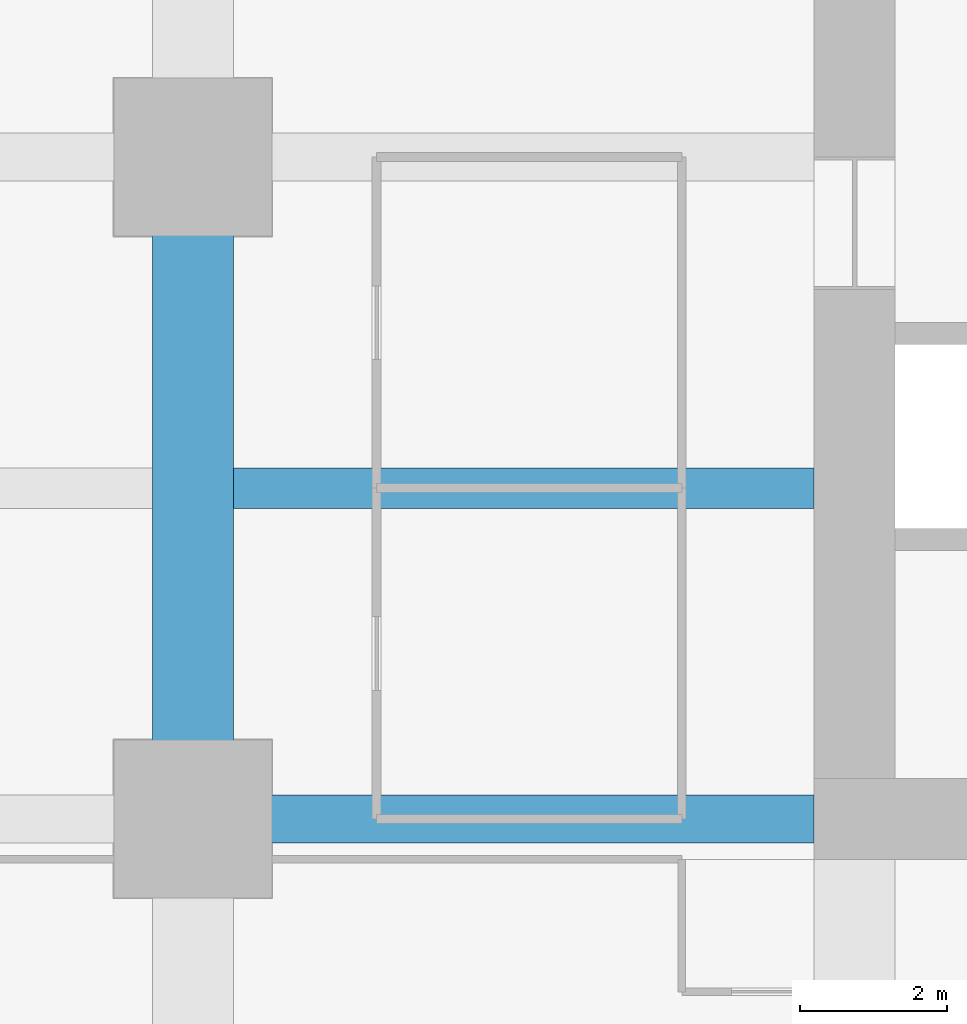
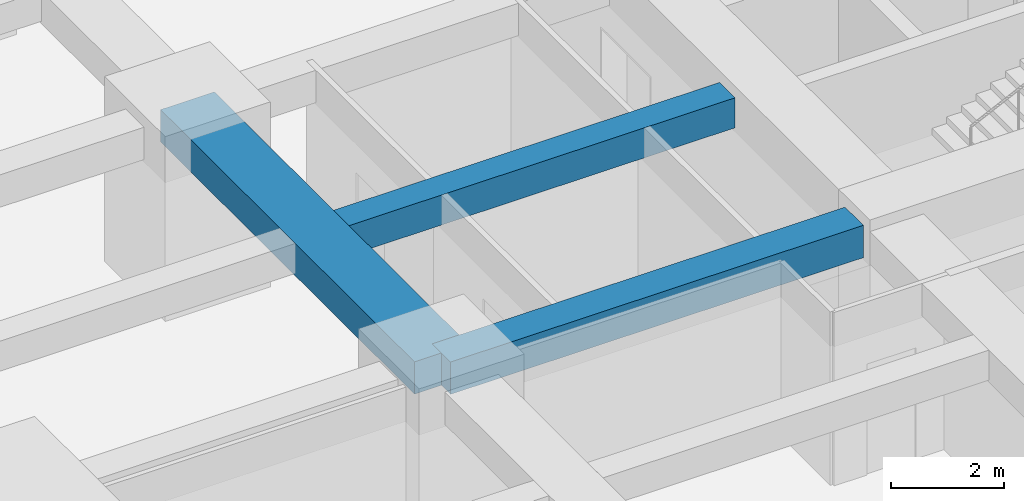
# One storey, part 10 of 41: 3 beams.
"""IFC4 building model written with IfcOpenShell, lengths in metres."""

from ifc_helpers import new_model, si_unit, direction, frame, origin, origin_2d, place, context, subcontext, project, spatial, rectangle, extrude, material, material_profile, profile_set, type_object, element, save


model = new_model("IFC4")

# Units and contexts
model_context = context("Model", 3, precision=1e-05, world=origin(), true_north=direction((0.0, 1.0)))
body_context = subcontext(model_context, "Body", "Model", "MODEL_VIEW")
ifc_project = project(units=[si_unit("LENGTHUNIT", "METRE"), si_unit("AREAUNIT", "SQUARE_METRE"), si_unit("VOLUMEUNIT", "CUBIC_METRE"), si_unit("PLANEANGLEUNIT", "RADIAN"), si_unit("MASSUNIT", "GRAM", prefix="KILO")], contexts=[model_context])

# Site, building, storey
site_placement = place(None, origin())
site = spatial("IfcSite", under=ifc_project, at=site_placement, CompositionType="ELEMENT")
building_placement = place(site_placement, origin())
building = spatial("IfcBuilding", under=site, at=building_placement, Name="Zorevar Civic Tower", CompositionType="ELEMENT")
storey_placement = place(building_placement, frame((0.0, 0.0, 89.0)))
storey = spatial("IfcBuildingStorey", under=building, at=storey_placement, Name="L21", CompositionType="ELEMENT", Elevation=89.0)

# Beams
ifc_material_1 = material(Name="Concrete C50/60", Category="concrete")
ifc_material_profile_1 = material_profile(ifc_material_1, rectangle(XDim=1.10009765625, YDim=0.699951171875, at=origin_2d()), Name="RC 1100x700")
ifc_profile_set_1 = profile_set([ifc_material_profile_1], Name="Concrete C50/60")
beam_type_1 = type_object("IfcBeamType", Name="Beam RC 1100x700", PredefinedType="BEAM", material=ifc_profile_set_1)
beam_1_placement = place(storey_placement, frame((9.0, 18.0, 3.39990234375), z_axis=(0.0, 1.0, 0.0), x_axis=(-1.0, 0.0, 0.0)))
element("IfcBeam", 1, at=beam_1_placement, inside=storey, type_object=beam_type_1, Name="Girder L22", PredefinedType="BEAM", context=body_context, shape_type="SweptSolid", body=[
    extrude(rectangle(XDim=1.10009765625, YDim=0.699951171875, at=origin_2d()), origin(), (0.0, 0.0, 1.0), 9.0),
])
ifc_material_2 = material(Name="Concrete C50/60", Category="concrete")
ifc_material_profile_2 = material_profile(ifc_material_2, rectangle(XDim=0.550048828125, YDim=0.64990234375, at=origin_2d()), Name="RC 550x650")
ifc_profile_set_2 = profile_set([ifc_material_profile_2], Name="Concrete C50/60")
beam_type_2 = type_object("IfcBeamType", Name="Beam RC 550x650", PredefinedType="BEAM", material=ifc_profile_set_2)
beam_2_placement = place(storey_placement, frame((9.550048828125, 22.5, 3.425048828125), z_axis=(1.0, 0.0, 0.0), x_axis=(0.0, 1.0, 0.0)))
element("IfcBeam", 2, at=beam_2_placement, inside=storey, type_object=beam_type_2, Name="Secondary beam L22", PredefinedType="BEAM", context=body_context, shape_type="SweptSolid", body=[
    extrude(rectangle(XDim=0.550048828125, YDim=0.64990234375, at=origin_2d()), origin(), (0.0, 0.0, 1.0), 7.89990234375),
])
ifc_material_3 = material(Name="Concrete C50/60", Category="concrete")
ifc_material_profile_3 = material_profile(ifc_material_3, rectangle(XDim=0.64990234375, YDim=0.699951171875, at=origin_2d()), Name="RC 650x700")
ifc_profile_set_3 = profile_set([ifc_material_profile_3], Name="Concrete C50/60")
beam_type_3 = type_object("IfcBeamType", Name="Beam RC 650x700", PredefinedType="BEAM", material=ifc_profile_set_3)
beam_3_placement = place(storey_placement, frame((9.0, 18.0, 3.39990234375), z_axis=(1.0, 0.0, 0.0), x_axis=(0.0, 1.0, 0.0)))
element("IfcBeam", 3, at=beam_3_placement, inside=storey, type_object=beam_type_3, Name="Girder L22", PredefinedType="BEAM", context=body_context, shape_type="SweptSolid", body=[
    extrude(rectangle(XDim=0.64990234375, YDim=0.699951171875, at=origin_2d()), origin(), (0.0, 0.0, 1.0), 8.449951171875),
])

save(model, "model.ifc")
